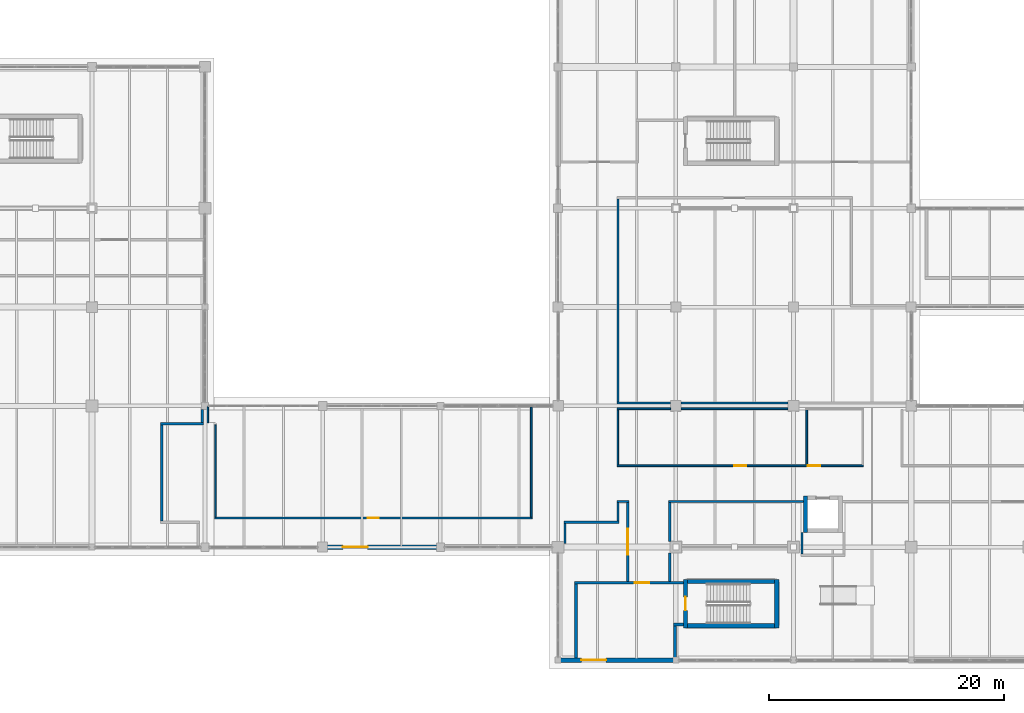
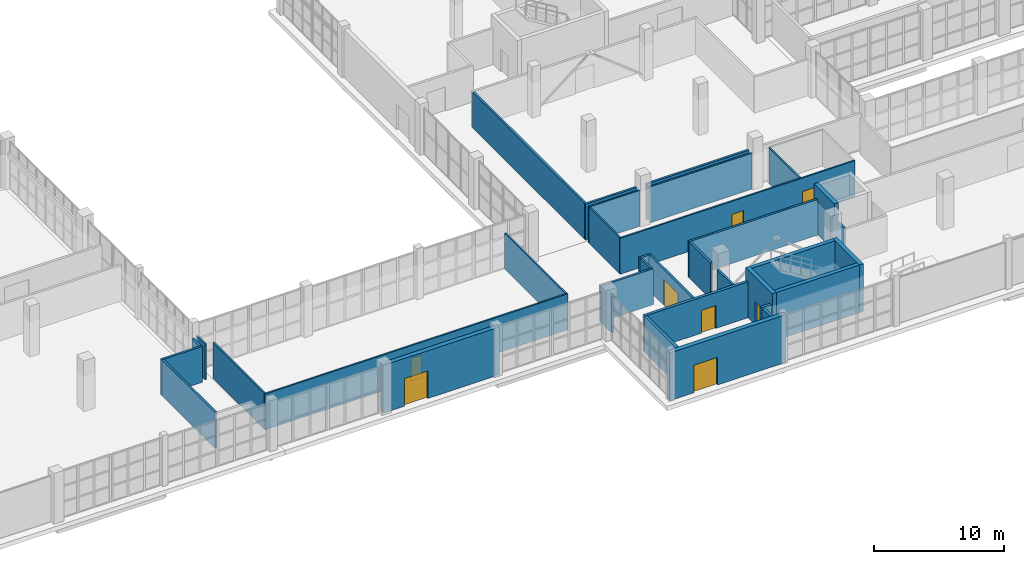
# One storey, part 101 of 121: 35 walls, 8 doors, 8 openings.
"""IFC4 building model written with IfcOpenShell, lengths in metres."""

from ifc_helpers import new_model, si_unit, direction, frame, frame_2d, origin, place, context, subcontext, project, spatial, rectangle, extrude, material, layer, layer_set, type_object, element, fill, save


model = new_model("IFC4")

# Units and contexts
model_context = context("Model", 3, precision=1e-05, world=origin(), true_north=direction((0.0, 1.0)))
body_context = subcontext(model_context, "Body", "Model", "MODEL_VIEW")
ifc_project = project(units=[si_unit("LENGTHUNIT", "METRE"), si_unit("AREAUNIT", "SQUARE_METRE"), si_unit("VOLUMEUNIT", "CUBIC_METRE"), si_unit("PLANEANGLEUNIT", "RADIAN"), si_unit("MASSUNIT", "GRAM", prefix="KILO")], contexts=[model_context])

# Site, building, storey
site_placement = place(None, origin())
site = spatial("IfcSite", under=ifc_project, at=site_placement, CompositionType="ELEMENT")
building_placement = place(site_placement, origin())
building = spatial("IfcBuilding", under=site, at=building_placement, Name="Zereglee Splitstone Museum", CompositionType="ELEMENT")
storey_placement = place(building_placement, origin())
storey = spatial("IfcBuildingStorey", under=building, at=storey_placement, Name="L00", CompositionType="ELEMENT", Elevation=0.0)

# Wall, opening, door
ifc_material_1 = material(Name="Concrete C45/55", Category="concrete")
ifc_layer_1 = layer(ifc_material_1, 0.360107421875)
ifc_layer_set_1 = layer_set([ifc_layer_1], Name="Concrete C45/55")
wall_type_1 = type_object("IfcWallType", Name="CSW-02", PredefinedType="SHEAR", material=ifc_layer_set_1)
wall_1_placement = place(storey_placement, frame((186.02001953125, 2.739990234375, 0.0), z_axis=(0.0, 0.0, 1.0), x_axis=(0.0, 1.0, 0.0)))
wall_1 = element("IfcWall", 1, at=wall_1_placement, inside=storey, type_object=wall_type_1, Name="Stair Core Shear Wall ST-04 L00 West", PredefinedType="SHEAR", context=body_context, shape_type="SweptSolid", body=[
    extrude(rectangle(XDim=4.1201171875, YDim=0.360107421875, at=frame_2d((2.06005859375, 0.0))), origin(), (0.0, 0.0, 1.0), 4.5),
])
opening_1_placement = place(wall_1_placement, frame((1.485107421875, 0.0, 0.0)))
opening_1 = element("IfcOpeningElement", 2, at=opening_1_placement, cuts=wall_1, Name="Opening ID-03", PredefinedType="OPENING", context=body_context, shape_type="SweptSolid", body=[
    extrude(rectangle(XDim=1.14990234375, YDim=2.14990234375, at=frame_2d((0.574951171875, 1.074951171875))), frame((0.0, 0.19482421875, 0.0), z_axis=(0.0, -1.0, 0.0), x_axis=(1.0, 0.0, 0.0)), (0.0, 0.0, 1.0), 0.389892578125),
])
ifc_material_2 = material(Name="Fire-rated steel and Siberian larch leaf", Category="steel")
door_type_1 = type_object("IfcDoorType", Name="ID-03", OperationType="NOTDEFINED", PredefinedType="DOOR", material=ifc_material_2)
door_1_placement = place(opening_1_placement, origin())
door_1 = element("IfcDoor", 3, at=door_1_placement, inside=storey, type_object=door_type_1, Name="Protected Stair Fire Door ST-04 L00", OperationType="SINGLE_SWING_RIGHT", OverallHeight=2.14990234375, OverallWidth=1.14990234375, PredefinedType="DOOR", context=body_context, shape_type="SweptSolid", body=[
    extrude(rectangle(XDim=1.14990234375, YDim=2.14990234375, at=frame_2d((0.574951171875, 1.074951171875))), frame((0.0, 0.02490234375, 0.0), z_axis=(0.0, -1.0, 0.0), x_axis=(1.0, 0.0, 0.0)), (0.0, 0.0, 1.0), 0.050048828125),
])
fill(opening_1, door_1)

# Walls
wall_2_placement = place(storey_placement, frame((193.780029296875, 2.739990234375, 0.0), z_axis=(0.0, 0.0, 1.0), x_axis=(0.0, 1.0, 0.0)))
element("IfcWall", 4, at=wall_2_placement, inside=storey, type_object=wall_type_1, Name="Stair Core Shear Wall ST-04 L00 East", PredefinedType="SHEAR", context=body_context, shape_type="SweptSolid", body=[
    extrude(rectangle(XDim=4.1201171875, YDim=0.360107421875, at=frame_2d((2.06005859375, 0.0))), origin(), (0.0, 0.0, 1.0), 4.5),
])
for number, where, z_axis, x_axis, name in (
    (5, (186.199951171875, 6.679931640625, 0.0), (0.0, 0.0, 1.0), (1.0, 0.0, 0.0), "Stair Core Shear Wall ST-04 L00 North"),
    (6, (186.199951171875, 2.919921875, 0.0), (0.0, 0.0, 1.0), (1.0, 0.0, 0.0), "Stair Core Shear Wall ST-04 L00 South"),
):
    element("IfcWall", number, at=place(storey_placement, frame(where, z_axis=z_axis, x_axis=x_axis)), inside=storey, type_object=wall_type_1, Name=name, PredefinedType="SHEAR", context=body_context, shape_type="SweptSolid", body=[
        extrude(rectangle(XDim=7.400146484375, YDim=0.360107421875, at=frame_2d((3.7001953125, 0.0))), origin(), (0.0, 0.0, 1.0), 4.5),
    ])
wall_3_placement = place(storey_placement, frame((196.219970703125, 10.840087890625, 0.0), z_axis=(0.0, 0.0, 1.0), x_axis=(0.0, 1.0, 0.0)))
element("IfcWall", 7, at=wall_3_placement, inside=storey, type_object=wall_type_1, Name="Lift Shaft Wall PL-03 L00 West", PredefinedType="SHEAR", context=body_context, shape_type="SweptSolid", body=[
    extrude(rectangle(XDim=3.119873046875, YDim=0.360107421875, at=frame_2d((1.56005859375, 0.0))), origin(), (0.0, 0.0, 1.0), 4.5),
])

# Wall, opening, door
ifc_material_3 = material(Name="Concrete C40/50", Category="concrete")
ifc_layer_2 = layer(ifc_material_3, 0.39990234375)
ifc_layer_set_2 = layer_set([ifc_layer_2], Name="Concrete C40/50")
wall_type_2 = type_object("IfcWallType", Name="EW-02", PredefinedType="STANDARD", material=ifc_layer_set_2)
wall_4_placement = place(storey_placement, frame((175.02001953125, 0.0, 0.0), z_axis=(0.0, 0.0, 1.0), x_axis=(1.0, 0.0, 0.0)))
wall_4 = element("IfcWall", 8, at=wall_4_placement, inside=storey, type_object=wall_type_2, Name="Exterior Backup Wall RC4-EW-L00-0001", PredefinedType="STANDARD", context=body_context, shape_type="SweptSolid", body=[
    extrude(rectangle(XDim=10.35986328125, YDim=0.39990234375, at=frame_2d((5.179931640625, 0.0))), origin(), (0.0, 0.0, 1.0), 4.5),
])
opening_2_placement = place(wall_4_placement, frame((2.14990234375, 0.0, 0.0)))
opening_2 = element("IfcOpeningElement", 9, at=opening_2_placement, cuts=wall_4, Name="Opening ED-02", PredefinedType="OPENING", context=body_context, shape_type="SweptSolid", body=[
    extrude(rectangle(XDim=2.10009765625, YDim=2.60009765625, at=frame_2d((1.050048828125, 1.300048828125))), frame((0.0, 0.21484375, 0.0), z_axis=(0.0, -1.0, 0.0), x_axis=(1.0, 0.0, 0.0)), (0.0, 0.0, 1.0), 0.4296875),
])
ifc_material_4 = material(Name="Anodised bronze-clad thermally broken aluminium", Category="aluminium")
door_type_2 = type_object("IfcDoorType", Name="ED-02", OperationType="DOUBLE_DOOR_SINGLE_SWING", PredefinedType="DOOR", material=ifc_material_4)
door_2_placement = place(opening_2_placement, frame((2.10009765625, 0.0, 0.0), z_axis=(0.0, 0.0, 1.0), x_axis=(-1.0, 0.0, 0.0)))
door_2 = element("IfcDoor", 10, at=door_2_placement, inside=storey, type_object=door_type_2, Name="Ground Protected Exit Door ED-L00-01", OperationType="DOUBLE_DOOR_SINGLE_SWING", OverallHeight=2.60009765625, OverallWidth=2.10009765625, PredefinedType="DOOR", context=body_context, shape_type="SweptSolid", body=[
    extrude(rectangle(XDim=2.10009765625, YDim=2.60009765625, at=frame_2d((1.050048828125, 1.300048828125))), frame((0.0, 0.02490234375, 0.0), z_axis=(0.0, -1.0, 0.0), x_axis=(1.0, 0.0, 0.0)), (0.0, 0.0, 1.0), 0.050048828125),
])
fill(opening_2, door_2)

wall_5_placement = place(storey_placement, frame((155.02001953125, 9.60009765625, 0.0), z_axis=(0.0, 0.0, 1.0), x_axis=(1.0, 0.0, 0.0)))
wall_5 = element("IfcWall", 11, at=wall_5_placement, inside=storey, type_object=wall_type_2, Name="Exterior Backup Wall RC4-EW-L00-0014", PredefinedType="STANDARD", context=body_context, shape_type="SweptSolid", body=[
    extrude(rectangle(XDim=10.35986328125, YDim=0.39990234375, at=frame_2d((5.179931640625, 0.0))), origin(), (0.0, 0.0, 1.0), 4.5),
])
opening_3_placement = place(wall_5_placement, frame((1.89990234375, 0.0, 0.0)))
opening_3 = element("IfcOpeningElement", 12, at=opening_3_placement, cuts=wall_5, Name="Opening ED-02", PredefinedType="OPENING", context=body_context, shape_type="SweptSolid", body=[
    extrude(rectangle(XDim=2.10009765625, YDim=2.60009765625, at=frame_2d((1.050048828125, 1.300048828125))), frame((0.0, 0.21484375, 0.0), z_axis=(0.0, -1.0, 0.0), x_axis=(1.0, 0.0, 0.0)), (0.0, 0.0, 1.0), 0.4296875),
])
door_3_placement = place(opening_3_placement, frame((2.10009765625, 0.0, 0.0), z_axis=(0.0, 0.0, 1.0), x_axis=(-1.0, 0.0, 0.0)))
door_3 = element("IfcDoor", 13, at=door_3_placement, inside=storey, type_object=door_type_2, Name="Ground Protected Exit Door ED-L00-13", OperationType="DOUBLE_DOOR_SINGLE_SWING", OverallHeight=2.60009765625, OverallWidth=2.10009765625, PredefinedType="DOOR", context=body_context, shape_type="SweptSolid", body=[
    extrude(rectangle(XDim=2.10009765625, YDim=2.60009765625, at=frame_2d((1.050048828125, 1.300048828125))), frame((0.0, 0.02490234375, 0.0), z_axis=(0.0, -1.0, 0.0), x_axis=(1.0, 0.0, 0.0)), (0.0, 0.0, 1.0), 0.050048828125),
])
fill(opening_3, door_3)

# Wall
ifc_layer_3 = layer(ifc_material_3, 0.25)
ifc_layer_set_3 = layer_set([ifc_layer_3], Name="Concrete C40/50")
wall_type_3 = type_object("IfcWallType", Name="IW-03", PredefinedType="PARTITIONING", material=ifc_layer_set_3)
wall_6_placement = place(storey_placement, frame((184.9951171875, 3.02001953125, 0.0), z_axis=(0.0, 0.0, 1.0), x_axis=(1.0, 0.0, 0.0)))
element("IfcWall", 14, at=wall_6_placement, inside=storey, type_object=wall_type_3, Name="Interior Partition L00-0157 (Protected Exit Passageway ST-04)", PredefinedType="PARTITIONING", context=body_context, shape_type="SweptSolid", body=[
    extrude(rectangle(XDim=0.844970703125, YDim=0.25, at=frame_2d((0.42236328125, 0.0))), origin(), (0.0, 0.0, 1.0), 3.3798828125),
])

# Wall, opening, door
wall_7_placement = place(storey_placement, frame((176.594970703125, 6.580078125, 0.0), z_axis=(0.0, 0.0, 1.0), x_axis=(1.0, 0.0, 0.0)))
wall_7 = element("IfcWall", 15, at=wall_7_placement, inside=storey, type_object=wall_type_3, Name="Interior Partition L00-0159 (Protected Exit Passageway ST-04)", PredefinedType="PARTITIONING", context=body_context, shape_type="SweptSolid", body=[
    extrude(rectangle(XDim=9.2451171875, YDim=0.25, at=frame_2d((4.62255859375, 0.0))), origin(), (0.0, 0.0, 1.0), 3.3798828125),
])
opening_4_placement = place(wall_7_placement, frame((5.10693359375, 0.0, 0.0)))
opening_4 = element("IfcOpeningElement", 16, at=opening_4_placement, cuts=wall_7, Name="Opening ID-04", PredefinedType="OPENING", context=body_context, shape_type="SweptSolid", body=[
    extrude(rectangle(XDim=1.25, YDim=2.14990234375, at=frame_2d((0.625, 1.074951171875))), frame((0.0, 0.139892578125, 0.0), z_axis=(0.0, -1.0, 0.0), x_axis=(1.0, 0.0, 0.0)), (0.0, 0.0, 1.0), 0.27978515625),
])
door_type_3 = type_object("IfcDoorType", Name="ID-04", OperationType="NOTDEFINED", PredefinedType="DOOR", material=ifc_material_2)
door_4_placement = place(opening_4_placement, frame((1.25, 0.0, 0.0), z_axis=(0.0, 0.0, 1.0), x_axis=(-1.0, 0.0, 0.0)))
door_4 = element("IfcDoor", 17, at=door_4_placement, inside=storey, type_object=door_type_3, Name="Interior Door L00-0026 (Protected Exit Passageway ST-04)", OperationType="SINGLE_SWING_LEFT", OverallHeight=2.14990234375, OverallWidth=1.25, PredefinedType="DOOR", context=body_context, shape_type="SweptSolid", body=[
    extrude(rectangle(XDim=1.25, YDim=2.14990234375, at=frame_2d((0.625, 1.074951171875))), frame((0.0, 0.02490234375, 0.0), z_axis=(0.0, -1.0, 0.0), x_axis=(1.0, 0.0, 0.0)), (0.0, 0.0, 1.0), 0.050048828125),
])
fill(opening_4, door_4)

# Walls
wall_8_placement = place(storey_placement, frame((176.719970703125, 0.199951171875, 0.0), z_axis=(0.0, 0.0, 1.0), x_axis=(0.0, 1.0, 0.0)))
element("IfcWall", 18, at=wall_8_placement, inside=storey, type_object=wall_type_3, Name="Interior Partition L00-0285 (Protected Exit Passageway ST-04)", PredefinedType="PARTITIONING", context=body_context, shape_type="SweptSolid", body=[
    extrude(rectangle(XDim=6.255126953125, YDim=0.25, at=frame_2d((3.12744140625, 0.0))), origin(), (0.0, 0.0, 1.0), 3.3798828125),
])
wall_9_placement = place(storey_placement, frame((185.1201171875, 0.199951171875, 0.0), z_axis=(0.0, 0.0, 1.0), x_axis=(0.0, 1.0, 0.0)))
element("IfcWall", 19, at=wall_9_placement, inside=storey, type_object=wall_type_3, Name="Interior Partition L00-0293 (Protected Exit Passageway ST-04)", PredefinedType="PARTITIONING", context=body_context, shape_type="SweptSolid", body=[
    extrude(rectangle(XDim=2.900146484375, YDim=0.25, at=frame_2d((1.4501953125, 0.0))), origin(), (0.0, 0.0, 1.0), 3.3798828125),
])

# Wall, opening, door
ifc_material_5 = material(Name="Fire-rated gypsum board partition", Category="masonry")
ifc_layer_4 = layer(ifc_material_5, 0.139892578125)
ifc_layer_set_4 = layer_set([ifc_layer_4], Name="Fire-rated gypsum board partition")
wall_type_4 = type_object("IfcWallType", Name="IW-05", PredefinedType="PARTITIONING", material=ifc_layer_set_4)
wall_10_placement = place(storey_placement, frame((146.010009765625, 12.080078125, 0.0), z_axis=(0.0, 0.0, 1.0), x_axis=(1.0, 0.0, 0.0)))
wall_10 = element("IfcWall", 20, at=wall_10_placement, inside=storey, type_object=wall_type_4, Name="Interior Partition L00-0165 (Charbagh Tea Hall)", PredefinedType="PARTITIONING", context=body_context, shape_type="SweptSolid", body=[
    extrude(rectangle(XDim=26.97998046875, YDim=0.139892578125, at=frame_2d((13.489990234375, 0.0))), origin(), (0.0, 0.0, 1.0), 3.3798828125),
])
opening_5_placement = place(wall_10_placement, frame((13.014892578125, 0.0, 0.0)))
opening_5 = element("IfcOpeningElement", 21, at=opening_5_placement, cuts=wall_10, Name="Opening ID-11", PredefinedType="OPENING", context=body_context, shape_type="SweptSolid", body=[
    extrude(rectangle(XDim=0.949951171875, YDim=2.14990234375, at=frame_2d((0.47509765625, 1.074951171875))), frame((0.0, 0.0849609375, 0.0), z_axis=(0.0, -1.0, 0.0), x_axis=(1.0, 0.0, 0.0)), (0.0, 0.0, 1.0), 0.169677734375),
])
ifc_material_6 = material(Name="Siberian larch acoustic timber leaf in bronze-steel frame", Category="steel")
door_type_4 = type_object("IfcDoorType", Name="ID-11", OperationType="NOTDEFINED", PredefinedType="DOOR", material=ifc_material_6)
door_5_placement = place(opening_5_placement, origin())
door_5 = element("IfcDoor", 22, at=door_5_placement, inside=storey, type_object=door_type_4, Name="Interior Door L00-0042 (Charbagh Tea Hall)", OperationType="SINGLE_SWING_LEFT", OverallHeight=2.14990234375, OverallWidth=0.949951171875, PredefinedType="DOOR", context=body_context, shape_type="SweptSolid", body=[
    extrude(rectangle(XDim=0.949951171875, YDim=2.14990234375, at=frame_2d((0.47509765625, 1.074951171875))), frame((0.0, 0.02490234375, 0.0), z_axis=(0.0, -1.0, 0.0), x_axis=(1.0, 0.0, 0.0)), (0.0, 0.0, 1.0), 0.050048828125),
])
fill(opening_5, door_5)

# Wall, openings, doors
wall_11_placement = place(storey_placement, frame((180.2099609375, 16.52001953125, 0.0), z_axis=(0.0, 0.0, 1.0), x_axis=(1.0, 0.0, 0.0)))
wall_11 = element("IfcWall", 23, at=wall_11_placement, inside=storey, type_object=wall_type_4, Name="Interior Partition L00-0177 (Public Washroom)", PredefinedType="PARTITIONING", context=body_context, shape_type="SweptSolid", body=[
    extrude(rectangle(XDim=20.929931640625, YDim=0.139892578125, at=frame_2d((10.46484375, 0.0))), origin(), (0.0, 0.0, 1.0), 3.3798828125),
])
opening_6_placement = place(wall_11_placement, frame((16.218994140625, 0.0, 0.0)))
opening_6 = element("IfcOpeningElement", 24, at=opening_6_placement, cuts=wall_11, Name="Opening ID-12", PredefinedType="OPENING", context=body_context, shape_type="SweptSolid", body=[
    extrude(rectangle(XDim=1.050048828125, YDim=2.10009765625, at=frame_2d((0.52490234375, 1.050048828125))), frame((0.0, 0.0849609375, 0.0), z_axis=(0.0, -1.0, 0.0), x_axis=(1.0, 0.0, 0.0)), (0.0, 0.0, 1.0), 0.169677734375),
])
opening_7_placement = place(wall_11_placement, frame((9.965087890625, 0.0, 0.0)))
opening_7 = element("IfcOpeningElement", 25, at=opening_7_placement, cuts=wall_11, Name="Opening ID-10", PredefinedType="OPENING", context=body_context, shape_type="SweptSolid", body=[
    extrude(rectangle(XDim=1.0, YDim=2.14990234375, at=frame_2d((0.5, 1.074951171875))), frame((0.0, 0.0849609375, 0.0), z_axis=(0.0, -1.0, 0.0), x_axis=(1.0, 0.0, 0.0)), (0.0, 0.0, 1.0), 0.169677734375),
])
door_type_5 = type_object("IfcDoorType", Name="ID-12", OperationType="NOTDEFINED", PredefinedType="DOOR", material=ifc_material_6)
door_6_placement = place(opening_6_placement, origin())
door_6 = element("IfcDoor", 26, at=door_6_placement, inside=storey, type_object=door_type_5, Name="Interior Door L00-0031 (Public Washroom)", OperationType="SINGLE_SWING_RIGHT", OverallHeight=2.10009765625, OverallWidth=1.050048828125, PredefinedType="DOOR", context=body_context, shape_type="SweptSolid", body=[
    extrude(rectangle(XDim=1.050048828125, YDim=2.10009765625, at=frame_2d((0.52490234375, 1.050048828125))), frame((0.0, 0.02490234375, 0.0), z_axis=(0.0, -1.0, 0.0), x_axis=(1.0, 0.0, 0.0)), (0.0, 0.0, 1.0), 0.050048828125),
])
fill(opening_6, door_6)
door_type_6 = type_object("IfcDoorType", Name="ID-10", OperationType="NOTDEFINED", PredefinedType="DOOR", material=ifc_material_6)
door_7_placement = place(opening_7_placement, origin())
door_7 = element("IfcDoor", 27, at=door_7_placement, inside=storey, type_object=door_type_6, Name="Interior Door L00-0045 (Museum Cafe and Dining Room)", OperationType="SINGLE_SWING_RIGHT", OverallHeight=2.14990234375, OverallWidth=1.0, PredefinedType="DOOR", context=body_context, shape_type="SweptSolid", body=[
    extrude(rectangle(XDim=1.0, YDim=2.14990234375, at=frame_2d((0.5, 1.074951171875))), frame((0.0, 0.02490234375, 0.0), z_axis=(0.0, -1.0, 0.0), x_axis=(1.0, 0.0, 0.0)), (0.0, 0.0, 1.0), 0.050048828125),
])
fill(opening_7, door_7)

# Walls
wall_12_placement = place(storey_placement, frame((180.2099609375, 21.360107421875, 0.0), z_axis=(0.0, 0.0, 1.0), x_axis=(1.0, 0.0, 0.0)))
element("IfcWall", 28, at=wall_12_placement, inside=storey, type_object=wall_type_4, Name="Interior Partition L00-0191 (Museum Cafe and Dining Room)", PredefinedType="PARTITIONING", context=body_context, shape_type="SweptSolid", body=[
    extrude(rectangle(XDim=4.5400390625, YDim=0.139892578125, at=frame_2d((2.27001953125, 0.0))), origin(), (0.0, 0.0, 1.0), 3.3798828125),
])
wall_13_placement = place(storey_placement, frame((185.64990234375, 21.360107421875, 0.0), z_axis=(0.0, 0.0, 1.0), x_axis=(1.0, 0.0, 0.0)))
element("IfcWall", 29, at=wall_13_placement, inside=storey, type_object=wall_type_4, Name="Interior Partition L00-0192 (Museum Cafe and Dining Room)", PredefinedType="PARTITIONING", context=body_context, shape_type="SweptSolid", body=[
    extrude(rectangle(XDim=9.10009765625, YDim=0.139892578125, at=frame_2d((4.550048828125, 0.0))), origin(), (0.0, 0.0, 1.0), 3.3798828125),
])
wall_14_placement = place(storey_placement, frame((145.43994140625, 20.159912109375, 0.0), z_axis=(0.0, 0.0, 1.0), x_axis=(0.0, 1.0, 0.0)))
element("IfcWall", 30, at=wall_14_placement, inside=storey, type_object=wall_type_4, Name="Interior Partition L00-0281 (Charbagh Tea Hall)", PredefinedType="PARTITIONING", context=body_context, shape_type="SweptSolid", body=[
    extrude(rectangle(XDim=1.35009765625, YDim=0.139892578125, at=frame_2d((0.675048828125, 0.0))), origin(), (0.0, 0.0, 1.0), 3.3798828125),
])
wall_15_placement = place(storey_placement, frame((146.080078125, 12.14990234375, 0.0), z_axis=(0.0, 0.0, 1.0), x_axis=(0.0, 1.0, 0.0)))
element("IfcWall", 31, at=wall_15_placement, inside=storey, type_object=wall_type_4, Name="Interior Partition L00-0282 (Charbagh Tea Hall)", PredefinedType="PARTITIONING", context=body_context, shape_type="SweptSolid", body=[
    extrude(rectangle(XDim=7.85009765625, YDim=0.139892578125, at=frame_2d((3.925048828125, 0.0))), origin(), (0.0, 0.0, 1.0), 3.3798828125),
])
wall_16_placement = place(storey_placement, frame((172.919921875, 12.14990234375, 0.0), z_axis=(0.0, 0.0, 1.0), x_axis=(0.0, 1.0, 0.0)))
element("IfcWall", 32, at=wall_16_placement, inside=storey, type_object=wall_type_4, Name="Interior Partition L00-0283 (Charbagh Tea Hall)", PredefinedType="PARTITIONING", context=body_context, shape_type="SweptSolid", body=[
    extrude(rectangle(XDim=9.360107421875, YDim=0.139892578125, at=frame_2d((4.68017578125, 0.0))), origin(), (0.0, 0.0, 1.0), 3.3798828125),
])
wall_17_placement = place(storey_placement, frame((180.280029296875, 16.590087890625, 0.0), z_axis=(0.0, 0.0, 1.0), x_axis=(0.0, 1.0, 0.0)))
element("IfcWall", 33, at=wall_17_placement, inside=storey, type_object=wall_type_4, Name="Interior Partition L00-0287 (Museum Cafe and Dining Room)", PredefinedType="PARTITIONING", context=body_context, shape_type="SweptSolid", body=[
    extrude(rectangle(XDim=4.699951171875, YDim=0.139892578125, at=frame_2d((2.35009765625, 0.0))), origin(), (0.0, 0.0, 1.0), 3.3798828125),
])
wall_18_placement = place(storey_placement, frame((196.320068359375, 16.590087890625, 0.0), z_axis=(0.0, 0.0, 1.0), x_axis=(0.0, 1.0, 0.0)))
element("IfcWall", 34, at=wall_18_placement, inside=storey, type_object=wall_type_4, Name="Interior Partition L00-0296 (Public Washroom)", PredefinedType="PARTITIONING", context=body_context, shape_type="SweptSolid", body=[
    extrude(rectangle(XDim=4.68994140625, YDim=0.139892578125, at=frame_2d((2.344970703125, 0.0))), origin(), (0.0, 0.0, 1.0), 3.3798828125),
])
ifc_material_7 = material(Name="Gypsum board on acoustic steel stud", Category="steel")
ifc_layer_5 = layer(ifc_material_7, 0.18994140625)
ifc_layer_set_5 = layer_set([ifc_layer_5], Name="Gypsum board on acoustic steel stud")
wall_type_5 = type_object("IfcWallType", Name="IW-02", PredefinedType="PARTITIONING", material=ifc_layer_set_5)
wall_19_placement = place(storey_placement, frame((175.68505859375, 11.719970703125, 0.0), z_axis=(0.0, 0.0, 1.0), x_axis=(1.0, 0.0, 0.0)))
element("IfcWall", 35, at=wall_19_placement, inside=storey, type_object=wall_type_5, Name="Interior Partition L00-0164 (Steppe Ecology Gallery Suite)", PredefinedType="PARTITIONING", context=body_context, shape_type="SweptSolid", body=[
    extrude(rectangle(XDim=4.68994140625, YDim=0.18994140625, at=frame_2d((2.344970703125, 0.0))), origin(), (0.0, 0.0, 1.0), 3.3798828125),
])
wall_20_placement = place(storey_placement, frame((180.18505859375, 13.47998046875, 0.0), z_axis=(0.0, 0.0, 1.0), x_axis=(1.0, 0.0, 0.0)))
element("IfcWall", 36, at=wall_20_placement, inside=storey, type_object=wall_type_5, Name="Interior Partition L00-0167 (Steppe Ecology Gallery Suite)", PredefinedType="PARTITIONING", context=body_context, shape_type="SweptSolid", body=[
    extrude(rectangle(XDim=1.030029296875, YDim=0.18994140625, at=frame_2d((0.51513671875, 0.0))), origin(), (0.0, 0.0, 1.0), 3.3798828125),
])
wall_21_placement = place(storey_placement, frame((184.5849609375, 13.47998046875, 0.0), z_axis=(0.0, 0.0, 1.0), x_axis=(1.0, 0.0, 0.0)))
element("IfcWall", 37, at=wall_21_placement, inside=storey, type_object=wall_type_5, Name="Interior Partition L00-0168 (Steppe Ecology Gallery)", PredefinedType="PARTITIONING", context=body_context, shape_type="SweptSolid", body=[
    extrude(rectangle(XDim=11.455078125, YDim=0.18994140625, at=frame_2d((5.7275390625, 0.0))), origin(), (0.0, 0.0, 1.0), 3.3798828125),
])
wall_22_placement = place(storey_placement, frame((141.425048828125, 20.080078125, 0.0), z_axis=(0.0, 0.0, 1.0), x_axis=(1.0, 0.0, 0.0)))
element("IfcWall", 38, at=wall_22_placement, inside=storey, type_object=wall_type_5, Name="Interior Partition L00-0186 (Cretaceous Dinosaur Exhibition Gallery)", PredefinedType="PARTITIONING", context=body_context, shape_type="SweptSolid", body=[
    extrude(rectangle(XDim=3.6298828125, YDim=0.18994140625, at=frame_2d((1.81494140625, 0.0))), origin(), (0.0, 0.0, 1.0), 3.3798828125),
])
wall_23_placement = place(storey_placement, frame((180.18505859375, 21.840087890625, 0.0), z_axis=(0.0, 0.0, 1.0), x_axis=(1.0, 0.0, 0.0)))
element("IfcWall", 39, at=wall_23_placement, inside=storey, type_object=wall_type_5, Name="Interior Partition L00-0193 (Museum Education Studio)", PredefinedType="PARTITIONING", context=body_context, shape_type="SweptSolid", body=[
    extrude(rectangle(XDim=4.56494140625, YDim=0.18994140625, at=frame_2d((2.282470703125, 0.0))), origin(), (0.0, 0.0, 1.0), 3.3798828125),
])
wall_24_placement = place(storey_placement, frame((185.64990234375, 21.840087890625, 0.0), z_axis=(0.0, 0.0, 1.0), x_axis=(1.0, 0.0, 0.0)))
element("IfcWall", 40, at=wall_24_placement, inside=storey, type_object=wall_type_5, Name="Interior Partition L00-0194 (Museum Education Studio)", PredefinedType="PARTITIONING", context=body_context, shape_type="SweptSolid", body=[
    extrude(rectangle(XDim=9.10009765625, YDim=0.18994140625, at=frame_2d((4.550048828125, 0.0))), origin(), (0.0, 0.0, 1.0), 3.3798828125),
])
wall_25_placement = place(storey_placement, frame((141.52001953125, 11.81494140625, 0.0), z_axis=(0.0, 0.0, 1.0), x_axis=(0.0, 1.0, 0.0)))
element("IfcWall", 41, at=wall_25_placement, inside=storey, type_object=wall_type_5, Name="Interior Partition L00-0278 (Cretaceous Dinosaur Exhibition Gallery)", PredefinedType="PARTITIONING", context=body_context, shape_type="SweptSolid", body=[
    extrude(rectangle(XDim=8.170166015625, YDim=0.18994140625, at=frame_2d((4.0849609375, 0.0))), origin(), (0.0, 0.0, 1.0), 3.3798828125),
])
wall_26_placement = place(storey_placement, frame((144.9599609375, 20.175048828125, 0.0), z_axis=(0.0, 0.0, 1.0), x_axis=(0.0, 1.0, 0.0)))
element("IfcWall", 42, at=wall_26_placement, inside=storey, type_object=wall_type_5, Name="Interior Partition L00-0280 (Cretaceous Dinosaur Exhibition Gallery)", PredefinedType="PARTITIONING", context=body_context, shape_type="SweptSolid", body=[
    extrude(rectangle(XDim=1.125, YDim=0.18994140625, at=frame_2d((0.5625, 0.0))), origin(), (0.0, 0.0, 1.0), 3.3798828125),
])
wall_27_placement = place(storey_placement, frame((175.780029296875, 9.919921875, 0.0), z_axis=(0.0, 0.0, 1.0), x_axis=(0.0, 1.0, 0.0)))
element("IfcWall", 43, at=wall_27_placement, inside=storey, type_object=wall_type_5, Name="Interior Partition L00-0284 (Steppe Ecology Gallery Suite)", PredefinedType="PARTITIONING", context=body_context, shape_type="SweptSolid", body=[
    extrude(rectangle(XDim=1.705078125, YDim=0.18994140625, at=frame_2d((0.8525390625, 0.0))), origin(), (0.0, 0.0, 1.0), 3.3798828125),
])
wall_28_placement = place(storey_placement, frame((180.280029296875, 11.81494140625, 0.0), z_axis=(0.0, 0.0, 1.0), x_axis=(0.0, 1.0, 0.0)))
element("IfcWall", 44, at=wall_28_placement, inside=storey, type_object=wall_type_5, Name="Interior Partition L00-0286 (Steppe Ecology Gallery Suite)", PredefinedType="PARTITIONING", context=body_context, shape_type="SweptSolid", body=[
    extrude(rectangle(XDim=1.570068359375, YDim=0.18994140625, at=frame_2d((0.78515625, 0.0))), origin(), (0.0, 0.0, 1.0), 3.3798828125),
])
wall_29_placement = place(storey_placement, frame((180.280029296875, 21.93505859375, 0.0), z_axis=(0.0, 0.0, 1.0), x_axis=(0.0, 1.0, 0.0)))
element("IfcWall", 45, at=wall_29_placement, inside=storey, type_object=wall_type_5, Name="Interior Partition L00-0288 (Museum Education Studio)", PredefinedType="PARTITIONING", context=body_context, shape_type="SweptSolid", body=[
    extrude(rectangle(XDim=17.25, YDim=0.18994140625, at=frame_2d((8.625, 0.0))), origin(), (0.0, 0.0, 1.0), 3.3798828125),
])

# Wall, opening, door
wall_30_placement = place(storey_placement, frame((181.1201171875, 6.705078125, 0.0), z_axis=(0.0, 0.0, 1.0), x_axis=(0.0, 1.0, 0.0)))
wall_30 = element("IfcWall", 46, at=wall_30_placement, inside=storey, type_object=wall_type_5, Name="Interior Partition L00-0289 (Steppe Ecology Gallery Suite)", PredefinedType="PARTITIONING", context=body_context, shape_type="SweptSolid", body=[
    extrude(rectangle(XDim=6.679931640625, YDim=0.18994140625, at=frame_2d((3.33984375, 0.0))), origin(), (0.0, 0.0, 1.0), 3.3798828125),
])
opening_8_placement = place(wall_30_placement, frame((2.239990234375, 0.0, 0.0)))
opening_8 = element("IfcOpeningElement", 47, at=opening_8_placement, cuts=wall_30, Name="Opening ID-01", PredefinedType="OPENING", context=body_context, shape_type="SweptSolid", body=[
    extrude(rectangle(XDim=2.199951171875, YDim=2.449951171875, at=frame_2d((1.10009765625, 1.22509765625))), frame((0.0, 0.10986328125, 0.0), z_axis=(0.0, -1.0, 0.0), x_axis=(1.0, 0.0, 0.0)), (0.0, 0.0, 1.0), 0.2197265625),
])
door_type_7 = type_object("IfcDoorType", Name="ID-01", OperationType="NOTDEFINED", PredefinedType="DOOR", material=ifc_material_2)
door_8_placement = place(opening_8_placement, origin())
door_8 = element("IfcDoor", 48, at=door_8_placement, inside=storey, type_object=door_type_7, Name="Interior Door L00-0044 (Steppe Ecology Gallery Suite)", OperationType="DOUBLE_DOOR_SINGLE_SWING", OverallHeight=2.449951171875, OverallWidth=2.199951171875, PredefinedType="DOOR", context=body_context, shape_type="SweptSolid", body=[
    extrude(rectangle(XDim=2.199951171875, YDim=2.449951171875, at=frame_2d((1.10009765625, 1.22509765625))), frame((0.0, 0.02490234375, 0.0), z_axis=(0.0, -1.0, 0.0), x_axis=(1.0, 0.0, 0.0)), (0.0, 0.0, 1.0), 0.050048828125),
])
fill(opening_8, door_8)

# Walls
wall_31_placement = place(storey_placement, frame((184.679931640625, 6.705078125, 0.0), z_axis=(0.0, 0.0, 1.0), x_axis=(0.0, 1.0, 0.0)))
element("IfcWall", 49, at=wall_31_placement, inside=storey, type_object=wall_type_5, Name="Interior Partition L00-0291 (Steppe Ecology Gallery)", PredefinedType="PARTITIONING", context=body_context, shape_type="SweptSolid", body=[
    extrude(rectangle(XDim=2.39501953125, YDim=0.18994140625, at=frame_2d((1.197509765625, 0.0))), origin(), (0.0, 0.0, 1.0), 3.3798828125),
])
wall_32_placement = place(storey_placement, frame((184.679931640625, 10.10009765625, 0.0), z_axis=(0.0, 0.0, 1.0), x_axis=(0.0, 1.0, 0.0)))
element("IfcWall", 50, at=wall_32_placement, inside=storey, type_object=wall_type_5, Name="Interior Partition L00-0292 (Steppe Ecology Gallery)", PredefinedType="PARTITIONING", context=body_context, shape_type="SweptSolid", body=[
    extrude(rectangle(XDim=3.284912109375, YDim=0.18994140625, at=frame_2d((1.642578125, 0.0))), origin(), (0.0, 0.0, 1.0), 3.3798828125),
])
wall_33_placement = place(storey_placement, frame((195.919921875, 9.014892578125, 0.0), z_axis=(0.0, 0.0, 1.0), x_axis=(0.0, 1.0, 0.0)))
element("IfcWall", 51, at=wall_33_placement, inside=storey, type_object=wall_type_5, Name="Interior Partition L00-0295 (Steppe Ecology Gallery)", PredefinedType="PARTITIONING", context=body_context, shape_type="SweptSolid", body=[
    extrude(rectangle(XDim=1.8251953125, YDim=0.18994140625, at=frame_2d((0.91259765625, 0.0))), origin(), (0.0, 0.0, 1.0), 3.3798828125),
])

save(model, "model.ifc")
